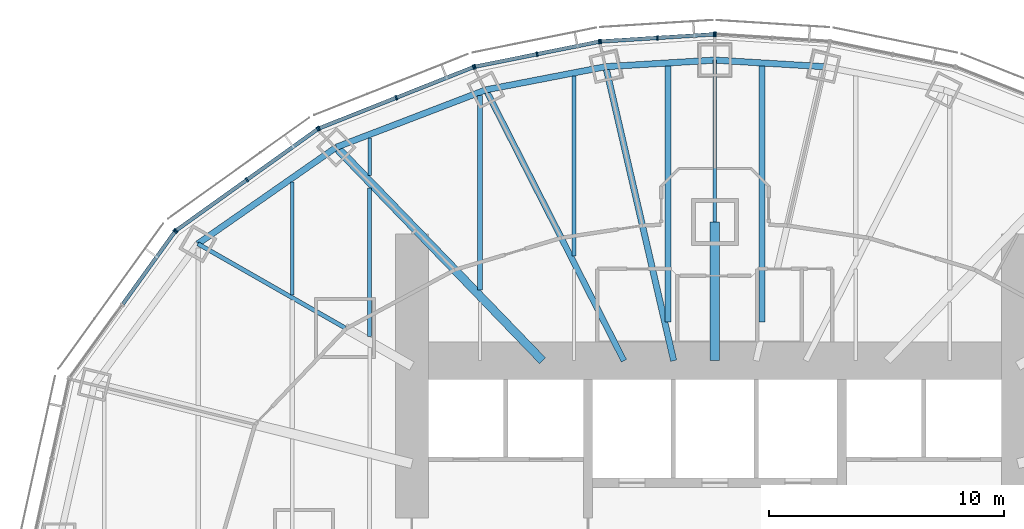
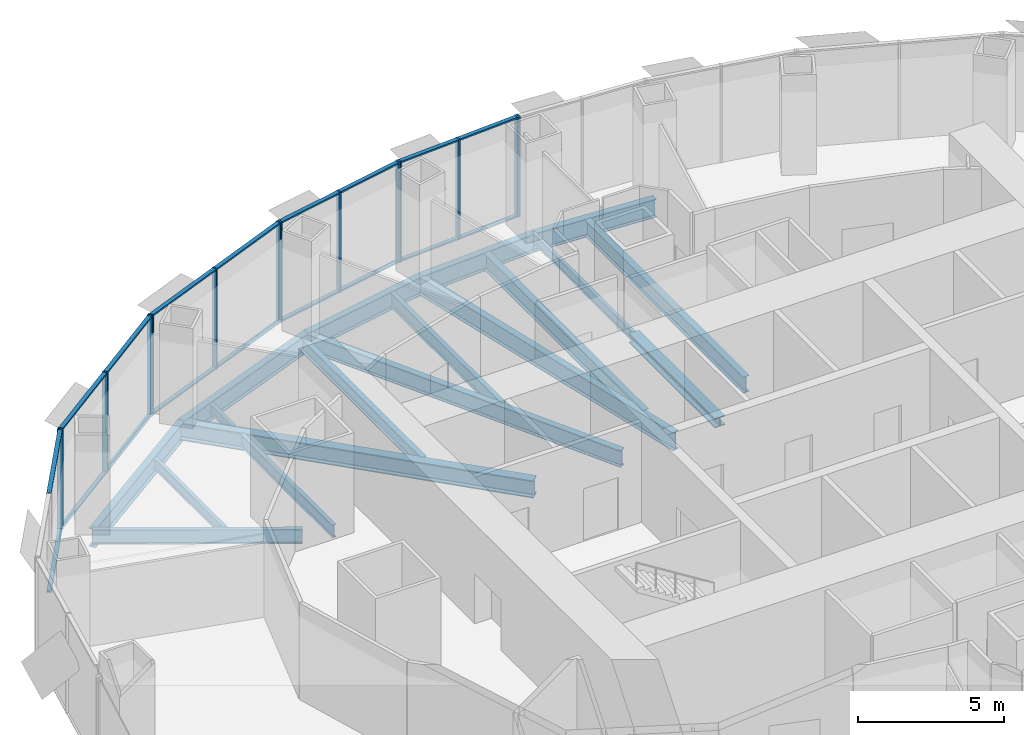
# One storey, part 7 of 18: 32 members, 18 beams, 6 elements without a shape of their own.
"""IFC4 building model written with IfcOpenShell, lengths in metres."""

from ifc_helpers import new_model, si_unit, direction, frame, origin, origin_2d, place, context, subcontext, project, spatial, rectangle, i_section, extrude, material, material_profile, profile_set, type_object, element, aggregate, save


model = new_model("IFC4")

# Units and contexts
model_context = context("Model", 3, precision=1e-05, world=origin(), true_north=direction((0.0, 1.0)))
body_context = subcontext(model_context, "Body", "Model", "MODEL_VIEW")
ifc_project = project(units=[si_unit("LENGTHUNIT", "METRE"), si_unit("AREAUNIT", "SQUARE_METRE"), si_unit("VOLUMEUNIT", "CUBIC_METRE"), si_unit("PLANEANGLEUNIT", "RADIAN"), si_unit("MASSUNIT", "GRAM", prefix="KILO")], contexts=[model_context])

# Site, building, storey
site_placement = place(None, origin())
site = spatial("IfcSite", under=ifc_project, at=site_placement, CompositionType="ELEMENT")
building_placement = place(site_placement, origin())
building = spatial("IfcBuilding", under=site, at=building_placement, Name="Lantaw Convention Tower", CompositionType="ELEMENT")
storey_placement = place(building_placement, frame((0.0, 0.0, 142.60009765625)))
storey = spatial("IfcBuildingStorey", under=building, at=storey_placement, Name="L33", CompositionType="ELEMENT", Elevation=142.60009765625)

# Beams
ifc_material_1 = material(Name="Steel ASTM A992", Category="steel")
ifc_material_profile_1 = material_profile(ifc_material_1, i_section(OverallWidth=0.2666015625, OverallDepth=0.76953125, WebThickness=0.015625, FlangeThickness=0.025390625, FilletRadius=0.0126953125, at=origin_2d()), Name="W30X132")
ifc_profile_set_1 = profile_set([ifc_material_profile_1], Name="Steel ASTM A992")
beam_type_1 = type_object("IfcBeamType", Name="Beam E W30X132", PredefinedType="SPANDREL", material=ifc_profile_set_1)
for number, where, z_axis, x_axis, name in (
    (1, (4.64501953125, 20.1201171875, -0.534912109375), (-0.998190892054, 0.06012439621, 0.0), (-0.06012439621, -0.998190892054, 0.0), "Edge beam 6"),
    (2, (0.0, 20.39990234375, -0.534912109375), (-0.998190892054, -0.06012439621, 0.0), (0.06012439621, -0.998190892054, 0.0), "Edge beam 7"),
):
    element("IfcBeam", number, at=place(storey_placement, frame(where, z_axis=z_axis, x_axis=x_axis)), inside=storey, type_object=beam_type_1, Name=name, PredefinedType="SPANDREL", context=body_context, shape_type="SweptSolid", body=[
        extrude(i_section(OverallWidth=0.2666015625, OverallDepth=0.76953125, WebThickness=0.015625, FlangeThickness=0.025390625, FilletRadius=0.0126953125, at=origin_2d()), origin(), (0.0, 0.0, 1.0), 4.6533203125),
    ])
beam_1_placement = place(storey_placement, frame((-4.64501953125, 20.1201171875, -0.534912109375), z_axis=(-0.981796805654, -0.189934284446, 0.0), x_axis=(0.189934284446, -0.981796805654, 0.0)))
element("IfcBeam", 3, at=beam_1_placement, inside=storey, type_object=beam_type_1, Name="Edge beam 8", PredefinedType="SPANDREL", context=body_context, shape_type="SweptSolid", body=[
    extrude(i_section(OverallWidth=0.2666015625, OverallDepth=0.76953125, WebThickness=0.015625, FlangeThickness=0.025390625, FilletRadius=0.0126953125, at=origin_2d()), origin(), (0.0, 0.0, 1.0), 5.1982421875),
])
beam_2_placement = place(storey_placement, frame((-9.74853515625, 19.1328125, -0.534912109375), z_axis=(-0.933691081977, -0.358079549033, 0.0), x_axis=(0.358079549033, -0.933691081977, 0.0)))
element("IfcBeam", 4, at=beam_2_placement, inside=storey, type_object=beam_type_1, Name="Edge beam 9", PredefinedType="SPANDREL", context=body_context, shape_type="SweptSolid", body=[
    extrude(i_section(OverallWidth=0.2666015625, OverallDepth=0.76953125, WebThickness=0.015625, FlangeThickness=0.025390625, FilletRadius=0.0126953125, at=origin_2d()), origin(), (0.0, 0.0, 1.0), 6.821533203125),
])
beam_3_placement = place(storey_placement, frame((-16.11767578125, 16.690185546875, -0.534912109375), z_axis=(-0.820310765287, -0.57191804339, 0.0), x_axis=(0.57191804339, -0.820310765287, 0.0)))
element("IfcBeam", 5, at=beam_3_placement, inside=storey, type_object=beam_type_1, Name="Edge beam 10", PredefinedType="SPANDREL", context=body_context, shape_type="SweptSolid", body=[
    extrude(i_section(OverallWidth=0.2666015625, OverallDepth=0.76953125, WebThickness=0.015625, FlangeThickness=0.025390625, FilletRadius=0.0126953125, at=origin_2d()), origin(), (0.0, 0.0, 1.0), 7.187744140625),
])
ifc_material_profile_2 = material_profile(ifc_material_1, i_section(OverallWidth=0.140380859375, OverallDepth=0.40380859375, WebThickness=0.007080078125, FlangeThickness=0.01123046875, FilletRadius=0.01025390625, at=origin_2d()), Name="W16X31")
ifc_profile_set_2 = profile_set([ifc_material_profile_2], Name="Steel ASTM A992")
beam_type_2 = type_object("IfcBeamType", Name="Beam G W16X31", PredefinedType="BEAM", material=ifc_profile_set_2)
beam_4_placement = place(storey_placement, frame((0.0, 13.5, -0.35205078125), z_axis=(0.0, 1.0, 0.0), x_axis=(-1.0, 0.0, 0.0)))
element("IfcBeam", 6, at=beam_4_placement, inside=storey, type_object=beam_type_2, Name="Floor girder on ray 7", PredefinedType="BEAM", context=body_context, shape_type="SweptSolid", body=[
    extrude(i_section(OverallWidth=0.140380859375, OverallDepth=0.40380859375, WebThickness=0.007080078125, FlangeThickness=0.01123046875, FilletRadius=0.01025390625, at=origin_2d()), origin(), (0.0, 0.0, 1.0), 6.89990234375),
])
ifc_material_profile_3 = material_profile(ifc_material_1, i_section(OverallWidth=0.177978515625, OverallDepth=0.599365234375, WebThickness=0.010009765625, FlangeThickness=0.012939453125, FilletRadius=0.012939453125, at=origin_2d()), Name="W24X55")
ifc_profile_set_3 = profile_set([ifc_material_profile_3], Name="Steel ASTM A992")
beam_type_3 = type_object("IfcBeamType", Name="Beam G W24X55", PredefinedType="BEAM", material=ifc_profile_set_3)
beam_5_placement = place(storey_placement, frame((-15.75, 9.0, -0.44970703125), z_axis=(-0.868245224608, 0.496135293993, 0.0), x_axis=(-0.496135293993, -0.868245224608, 0.0)))
element("IfcBeam", 7, at=beam_5_placement, inside=storey, type_object=beam_type_3, Name="Floor girder on ray 11", PredefinedType="BEAM", context=body_context, shape_type="SweptSolid", body=[
    extrude(i_section(OverallWidth=0.177978515625, OverallDepth=0.599365234375, WebThickness=0.010009765625, FlangeThickness=0.012939453125, FilletRadius=0.012939453125, at=origin_2d()), origin(), (0.0, 0.0, 1.0), 7.21435546875),
])
ifc_material_profile_4 = material_profile(ifc_material_1, i_section(OverallWidth=0.25390625, OverallDepth=0.700927734375, WebThickness=0.015380859375, FlangeThickness=0.02783203125, FilletRadius=0.01513671875, at=origin_2d()), Name="W27X129")
ifc_profile_set_4 = profile_set([ifc_material_profile_4], Name="Steel ASTM A992")
beam_type_4 = type_object("IfcBeamType", Name="Beam G W27X129", PredefinedType="BEAM", material=ifc_profile_set_4)
beam_6_placement = place(storey_placement, frame((-3.872314453125, 7.60009765625, -0.500732421875), z_axis=(-0.453991051051, 0.891006243281, 0.0), x_axis=(-0.891006243281, -0.453991051051, 0.0)))
element("IfcBeam", 8, at=beam_6_placement, inside=storey, type_object=beam_type_4, Name="Floor girder on ray 9", PredefinedType="BEAM", context=body_context, shape_type="SweptSolid", body=[
    extrude(i_section(OverallWidth=0.25390625, OverallDepth=0.700927734375, WebThickness=0.015380859375, FlangeThickness=0.02783203125, FilletRadius=0.01513671875, at=origin_2d()), origin(), (0.0, 0.0, 1.0), 12.943359375),
])
ifc_material_profile_5 = material_profile(ifc_material_1, i_section(OverallWidth=0.360595703125, OverallDepth=0.72900390625, WebThickness=0.023193359375, FlangeThickness=0.041015625, FilletRadius=0.0126953125, at=origin_2d()), Name="W27X235")
ifc_profile_set_5 = profile_set([ifc_material_profile_5], Name="Steel ASTM A992")
beam_type_5 = type_object("IfcBeamType", Name="Beam G W27X235", PredefinedType="BEAM", material=ifc_profile_set_5)
beam_7_placement = place(storey_placement, frame((-7.33935546875, 7.60009765625, -0.5146484375), z_axis=(-0.694663467407, 0.719334878239, 0.0), x_axis=(-0.719334878239, -0.694663467407, 0.0)))
element("IfcBeam", 9, at=beam_7_placement, inside=storey, type_object=beam_type_5, Name="Floor girder on ray 10", PredefinedType="BEAM", context=body_context, shape_type="SweptSolid", body=[
    extrude(i_section(OverallWidth=0.360595703125, OverallDepth=0.72900390625, WebThickness=0.023193359375, FlangeThickness=0.041015625, FilletRadius=0.0126953125, at=origin_2d()), origin(), (0.0, 0.0, 1.0), 12.63671875),
])
ifc_material_profile_6 = material_profile(ifc_material_1, i_section(OverallWidth=0.2666015625, OverallDepth=0.7568359375, WebThickness=0.013916015625, FlangeThickness=0.019287109375, FilletRadius=0.0126953125, at=origin_2d()), Name="W30X108")
ifc_profile_set_6 = profile_set([ifc_material_profile_6], Name="Steel ASTM A992")
beam_type_6 = type_object("IfcBeamType", Name="Beam G W30X108", PredefinedType="BEAM", material=ifc_profile_set_6)
beam_8_placement = place(storey_placement, frame((-1.754638671875, 7.60009765625, -0.528564453125), z_axis=(-0.224944153104, 0.974371658036, 0.0), x_axis=(-0.974371658036, -0.224944153104, 0.0)))
element("IfcBeam", 10, at=beam_8_placement, inside=storey, type_object=beam_type_6, Name="Floor girder on ray 8", PredefinedType="BEAM", context=body_context, shape_type="SweptSolid", body=[
    extrude(i_section(OverallWidth=0.2666015625, OverallDepth=0.7568359375, WebThickness=0.013916015625, FlangeThickness=0.019287109375, FilletRadius=0.0126953125, at=origin_2d()), origin(), (0.0, 0.0, 1.0), 12.849365234375),
])
ifc_material_profile_7 = material_profile(ifc_material_1, i_section(OverallWidth=0.40380859375, OverallDepth=0.406494140625, WebThickness=0.027099609375, FlangeThickness=0.043701171875, FilletRadius=0.01513671875, at=origin_2d()), Name="W14X233")
ifc_profile_set_7 = profile_set([ifc_material_profile_7], Name="Steel ASTM A992")
beam_type_7 = type_object("IfcBeamType", Name="Beam GM W14X233", PredefinedType="BEAM", material=ifc_profile_set_7)
beam_9_placement = place(storey_placement, frame((0.0, 7.60009765625, -0.353271484375), z_axis=(0.0, 1.0, 0.0), x_axis=(-1.0, 0.0, 0.0)))
element("IfcBeam", 11, at=beam_9_placement, inside=storey, type_object=beam_type_7, Name="Core link beam on ray 7", PredefinedType="BEAM", context=body_context, shape_type="SweptSolid", body=[
    extrude(i_section(OverallWidth=0.40380859375, OverallDepth=0.406494140625, WebThickness=0.027099609375, FlangeThickness=0.043701171875, FilletRadius=0.01513671875, at=origin_2d()), origin(), (0.0, 0.0, 1.0), 5.89990234375),
])
ifc_material_profile_8 = material_profile(ifc_material_1, i_section(OverallWidth=0.140380859375, OverallDepth=0.40380859375, WebThickness=0.007080078125, FlangeThickness=0.01123046875, FilletRadius=0.01025390625, at=origin_2d()), Name="W16X31")
ifc_profile_set_8 = profile_set([ifc_material_profile_8], Name="Steel ASTM A992")
beam_type_8 = type_object("IfcBeamType", Name="Beam J W16X31", PredefinedType="JOIST", material=ifc_profile_set_8)
beam_10_placement = place(storey_placement, frame((-14.699951171875, 15.48193359375, -0.35205078125), z_axis=(0.0, 1.0, 0.0), x_axis=(-1.0, 0.0, 0.0)))
element("IfcBeam", 12, at=beam_10_placement, inside=storey, type_object=beam_type_8, Name="Floor joist", PredefinedType="JOIST", context=body_context, shape_type="SweptSolid", body=[
    extrude(i_section(OverallWidth=0.140380859375, OverallDepth=0.40380859375, WebThickness=0.007080078125, FlangeThickness=0.01123046875, FilletRadius=0.01025390625, at=origin_2d()), origin(), (0.0, 0.0, 1.0), 1.609130859375),
])
ifc_material_profile_9 = material_profile(ifc_material_1, i_section(OverallWidth=0.15234375, OverallDepth=0.449462890625, WebThickness=0.007568359375, FlangeThickness=0.0107421875, FilletRadius=0.01025390625, at=origin_2d()), Name="W18X35")
ifc_profile_set_9 = profile_set([ifc_material_profile_9], Name="Steel ASTM A992")
beam_type_9 = type_object("IfcBeamType", Name="Beam J W18X35", PredefinedType="JOIST", material=ifc_profile_set_9)
beam_11_placement = place(storey_placement, frame((-18.0, 10.38818359375, -0.375), z_axis=(0.0, 1.0, 0.0), x_axis=(-1.0, 0.0, 0.0)))
element("IfcBeam", 13, at=beam_11_placement, inside=storey, type_object=beam_type_9, Name="Floor joist", PredefinedType="JOIST", context=body_context, shape_type="SweptSolid", body=[
    extrude(i_section(OverallWidth=0.15234375, OverallDepth=0.449462890625, WebThickness=0.007568359375, FlangeThickness=0.0107421875, FilletRadius=0.01025390625, at=origin_2d()), origin(), (0.0, 0.0, 1.0), 4.8271484375),
])
ifc_material_profile_10 = material_profile(ifc_material_1, i_section(OverallWidth=0.1650390625, OverallDepth=0.52587890625, WebThickness=0.0087890625, FlangeThickness=0.011474609375, FilletRadius=0.0126953125, at=origin_2d()), Name="W21X44")
ifc_profile_set_10 = profile_set([ifc_material_profile_10], Name="Steel ASTM A992")
beam_type_10 = type_object("IfcBeamType", Name="Beam J W21X44", PredefinedType="JOIST", material=ifc_profile_set_10)
beam_12_placement = place(storey_placement, frame((-14.699951171875, 8.632568359375, -0.4130859375), z_axis=(0.0, 1.0, 0.0), x_axis=(-1.0, 0.0, 0.0)))
element("IfcBeam", 14, at=beam_12_placement, inside=storey, type_object=beam_type_10, Name="Floor joist", PredefinedType="JOIST", context=body_context, shape_type="SweptSolid", body=[
    extrude(i_section(OverallWidth=0.1650390625, OverallDepth=0.52587890625, WebThickness=0.0087890625, FlangeThickness=0.011474609375, FilletRadius=0.0126953125, at=origin_2d()), origin(), (0.0, 0.0, 1.0), 6.330078125),
])
ifc_material_profile_11 = material_profile(ifc_material_1, i_section(OverallWidth=0.2099609375, OverallDepth=0.535888671875, WebThickness=0.010986328125, FlangeThickness=0.017333984375, FilletRadius=0.012939453125, at=origin_2d()), Name="W21X68")
ifc_profile_set_11 = profile_set([ifc_material_profile_11], Name="Steel ASTM A992")
beam_type_11 = type_object("IfcBeamType", Name="Beam J W21X68", PredefinedType="JOIST", material=ifc_profile_set_11)
beam_13_placement = place(storey_placement, frame((-10.0, 10.614990234375, -0.41796875), z_axis=(0.0, 1.0, 0.0), x_axis=(-1.0, 0.0, 0.0)))
element("IfcBeam", 15, at=beam_13_placement, inside=storey, type_object=beam_type_11, Name="Floor joist", PredefinedType="JOIST", context=body_context, shape_type="SweptSolid", body=[
    extrude(i_section(OverallWidth=0.2099609375, OverallDepth=0.535888671875, WebThickness=0.010986328125, FlangeThickness=0.017333984375, FilletRadius=0.012939453125, at=origin_2d()), origin(), (0.0, 0.0, 1.0), 8.278564453125),
])
ifc_material_profile_12 = material_profile(ifc_material_1, i_section(OverallWidth=0.177978515625, OverallDepth=0.599365234375, WebThickness=0.010009765625, FlangeThickness=0.012939453125, FilletRadius=0.012939453125, at=origin_2d()), Name="W24X55")
ifc_profile_set_12 = profile_set([ifc_material_profile_12], Name="Steel ASTM A992")
beam_type_12 = type_object("IfcBeamType", Name="Beam J W24X55", PredefinedType="JOIST", material=ifc_profile_set_12)
beam_14_placement = place(storey_placement, frame((-6.0, 12.055419921875, -0.44970703125), z_axis=(0.0, 1.0, 0.0), x_axis=(-1.0, 0.0, 0.0)))
element("IfcBeam", 16, at=beam_14_placement, inside=storey, type_object=beam_type_12, Name="Floor joist", PredefinedType="JOIST", context=body_context, shape_type="SweptSolid", body=[
    extrude(i_section(OverallWidth=0.177978515625, OverallDepth=0.599365234375, WebThickness=0.010009765625, FlangeThickness=0.012939453125, FilletRadius=0.012939453125, at=origin_2d()), origin(), (0.0, 0.0, 1.0), 7.666748046875),
])
ifc_material_profile_13 = material_profile(ifc_material_1, i_section(OverallWidth=0.25390625, OverallDepth=0.683349609375, WebThickness=0.012451171875, FlangeThickness=0.01904296875, FilletRadius=0.01513671875, at=origin_2d()), Name="W27X94")
ifc_profile_set_13 = profile_set([ifc_material_profile_13], Name="Steel ASTM A992")
beam_type_13 = type_object("IfcBeamType", Name="Beam J W27X94", PredefinedType="JOIST", material=ifc_profile_set_13)
for number, where, z_axis, x_axis, name in (
    (17, (-2.0, 9.255859375, -0.49169921875), (0.0, 1.0, 0.0), (-1.0, 0.0, 0.0), "Floor joist"),
    (18, (2.0, 9.255859375, -0.49169921875), (0.0, 1.0, 0.0), (-1.0, 0.0, 0.0), "Floor joist"),
):
    element("IfcBeam", number, at=place(storey_placement, frame(where, z_axis=z_axis, x_axis=x_axis)), inside=storey, type_object=beam_type_13, Name=name, PredefinedType="JOIST", context=body_context, shape_type="SweptSolid", body=[
        extrude(i_section(OverallWidth=0.25390625, OverallDepth=0.683349609375, WebThickness=0.012451171875, FlangeThickness=0.01904296875, FilletRadius=0.01513671875, at=origin_2d()), origin(), (0.0, 0.0, 1.0), 10.889892578125),
    ])

# Curtain wall, member
ifc_material_2 = material(Name="Aluminium framed curtain wall", Category="aluminium")
curtain_wall_type = type_object("IfcCurtainWallType", Name="Office curtain wall low rise, pale aluminium", PredefinedType="USERDEFINED", material=ifc_material_2)
curtain_wall_1_placement = place(storey_placement, origin())
curtain_wall_1 = element("IfcCurtainWall", 19, at=curtain_wall_1_placement, inside=storey, type_object=curtain_wall_type, Name="Office curtain wall low rise, pale aluminium L33", ObjectType="UNITISED CURTAIN WALL", PredefinedType="USERDEFINED")
ifc_material_3 = material(Name="Aluminium 6063-T6", Category="aluminium")
ifc_material_profile_14 = material_profile(ifc_material_3, rectangle(XDim=0.199951171875, YDim=0.06494140625, at=origin_2d()), Name="CW-O1 mullion 65x200")
ifc_profile_set_14 = profile_set([ifc_material_profile_14], Name="Aluminium 6063-T6")
member_type_1 = type_object("IfcMemberType", Name="CW-O1 mullion 65x200", PredefinedType="MULLION", material=ifc_profile_set_14)
member_1_placement = place(storey_placement, frame((0.032470703125, 21.498046875, -0.150146484375), z_axis=(0.0, 0.0, 1.0), x_axis=(-0.062865059466, -0.998022035978, 0.0)))
member_1 = element("IfcMember", 20, at=member_1_placement, type_object=member_type_1, Name="CW-O1 mullion 3", PredefinedType="MULLION", context=body_context, shape_type="SweptSolid", body=[
    extrude(rectangle(XDim=0.199951171875, YDim=0.06494140625, at=origin_2d()), origin(), (0.0, 0.0, 1.0), 4.199951171875),
])
aggregate(curtain_wall_1, [member_1])

# Curtain wall, members
curtain_wall_2_placement = place(storey_placement, origin())
curtain_wall_2 = element("IfcCurtainWall", 21, at=curtain_wall_2_placement, inside=storey, type_object=curtain_wall_type, Name="Office curtain wall low rise, pale aluminium L33", ObjectType="UNITISED CURTAIN WALL", PredefinedType="USERDEFINED")
member_2_placement = place(storey_placement, frame((-0.032470703125, 21.498046875, -0.150146484375), z_axis=(0.0, 0.0, 1.0), x_axis=(0.062865059466, -0.998022035978, 0.0)))
member_2 = element("IfcMember", 22, at=member_2_placement, type_object=member_type_1, Name="CW-O1 mullion 1", PredefinedType="MULLION", context=body_context, shape_type="SweptSolid", body=[
    extrude(rectangle(XDim=0.199951171875, YDim=0.06494140625, at=origin_2d()), origin(), (0.0, 0.0, 1.0), 4.199951171875),
])
member_3_placement = place(storey_placement, frame((-2.4462890625, 21.345947265625, -0.150146484375), z_axis=(0.0, 0.0, 1.0), x_axis=(0.062865059466, -0.998022035978, 0.0)))
member_3 = element("IfcMember", 23, at=member_3_placement, type_object=member_type_1, Name="CW-O1 mullion 2", PredefinedType="MULLION", context=body_context, shape_type="SweptSolid", body=[
    extrude(rectangle(XDim=0.199951171875, YDim=0.06494140625, at=origin_2d()), origin(), (0.0, 0.0, 1.0), 4.199951171875),
])
member_4_placement = place(storey_placement, frame((-4.860107421875, 21.19384765625, -0.150146484375), z_axis=(0.0, 0.0, 1.0), x_axis=(0.062865059466, -0.998022035978, 0.0)))
member_4 = element("IfcMember", 24, at=member_4_placement, type_object=member_type_1, Name="CW-O1 mullion 3", PredefinedType="MULLION", context=body_context, shape_type="SweptSolid", body=[
    extrude(rectangle(XDim=0.199951171875, YDim=0.06494140625, at=origin_2d()), origin(), (0.0, 0.0, 1.0), 4.199951171875),
])

curtain_wall_3_placement = place(storey_placement, origin())
curtain_wall_3 = element("IfcCurtainWall", 25, at=curtain_wall_3_placement, inside=storey, type_object=curtain_wall_type, Name="Office curtain wall low rise, pale aluminium L33", ObjectType="UNITISED CURTAIN WALL", PredefinedType="USERDEFINED")
member_5_placement = place(storey_placement, frame((-4.92431640625, 21.185302734375, -0.150146484375), z_axis=(0.0, 0.0, 1.0), x_axis=(0.197506809659, -0.980301514912, 0.0)))
member_5 = element("IfcMember", 26, at=member_5_placement, type_object=member_type_1, Name="CW-O1 mullion 1", PredefinedType="MULLION", context=body_context, shape_type="SweptSolid", body=[
    extrude(rectangle(XDim=0.199951171875, YDim=0.06494140625, at=origin_2d()), origin(), (0.0, 0.0, 1.0), 4.199951171875),
])
member_6_placement = place(storey_placement, frame((-7.5703125, 20.65234375, -0.150146484375), z_axis=(0.0, 0.0, 1.0), x_axis=(0.197506809659, -0.980301514912, 0.0)))
member_6 = element("IfcMember", 27, at=member_6_placement, type_object=member_type_1, Name="CW-O1 mullion 2", PredefinedType="MULLION", context=body_context, shape_type="SweptSolid", body=[
    extrude(rectangle(XDim=0.199951171875, YDim=0.06494140625, at=origin_2d()), origin(), (0.0, 0.0, 1.0), 4.199951171875),
])
member_7_placement = place(storey_placement, frame((-10.216064453125, 20.119140625, -0.150146484375), z_axis=(0.0, 0.0, 1.0), x_axis=(0.197506809659, -0.980301514912, 0.0)))
member_7 = element("IfcMember", 28, at=member_7_placement, type_object=member_type_1, Name="CW-O1 mullion 3", PredefinedType="MULLION", context=body_context, shape_type="SweptSolid", body=[
    extrude(rectangle(XDim=0.199951171875, YDim=0.06494140625, at=origin_2d()), origin(), (0.0, 0.0, 1.0), 4.199951171875),
])

curtain_wall_4_placement = place(storey_placement, origin())
curtain_wall_4 = element("IfcCurtainWall", 29, at=curtain_wall_4_placement, inside=storey, type_object=curtain_wall_type, Name="Office curtain wall low rise, pale aluminium L33", ObjectType="UNITISED CURTAIN WALL", PredefinedType="USERDEFINED")
member_8_placement = place(storey_placement, frame((-10.2783203125, 20.100830078125, -0.150146484375), z_axis=(0.0, 0.0, 1.0), x_axis=(0.368701907483, -0.929547687544, 0.0)))
member_8 = element("IfcMember", 30, at=member_8_placement, type_object=member_type_1, Name="CW-O1 mullion 1", PredefinedType="MULLION", context=body_context, shape_type="SweptSolid", body=[
    extrude(rectangle(XDim=0.199951171875, YDim=0.06494140625, at=origin_2d()), origin(), (0.0, 0.0, 1.0), 4.199951171875),
])
member_9_placement = place(storey_placement, frame((-13.56494140625, 18.797119140625, -0.150146484375), z_axis=(0.0, 0.0, 1.0), x_axis=(0.368701907483, -0.929547687544, 0.0)))
member_9 = element("IfcMember", 31, at=member_9_placement, type_object=member_type_1, Name="CW-O1 mullion 2", PredefinedType="MULLION", context=body_context, shape_type="SweptSolid", body=[
    extrude(rectangle(XDim=0.199951171875, YDim=0.06494140625, at=origin_2d()), origin(), (0.0, 0.0, 1.0), 4.199951171875),
])
member_10_placement = place(storey_placement, frame((-16.8515625, 17.49365234375, -0.150146484375), z_axis=(0.0, 0.0, 1.0), x_axis=(0.368701907483, -0.929547687544, 0.0)))
member_10 = element("IfcMember", 32, at=member_10_placement, type_object=member_type_1, Name="CW-O1 mullion 3", PredefinedType="MULLION", context=body_context, shape_type="SweptSolid", body=[
    extrude(rectangle(XDim=0.199951171875, YDim=0.06494140625, at=origin_2d()), origin(), (0.0, 0.0, 1.0), 4.199951171875),
])

curtain_wall_5_placement = place(storey_placement, origin())
curtain_wall_5 = element("IfcCurtainWall", 33, at=curtain_wall_5_placement, inside=storey, type_object=curtain_wall_type, Name="Office curtain wall low rise, pale aluminium L33", ObjectType="UNITISED CURTAIN WALL", PredefinedType="USERDEFINED")
member_11_placement = place(storey_placement, frame((-16.908203125, 17.462646484375, -0.150146484375), z_axis=(0.0, 0.0, 1.0), x_axis=(0.581972695693, -0.813208325995, 0.0)))
member_11 = element("IfcMember", 34, at=member_11_placement, type_object=member_type_1, Name="CW-O1 mullion 1", PredefinedType="MULLION", context=body_context, shape_type="SweptSolid", body=[
    extrude(rectangle(XDim=0.199951171875, YDim=0.06494140625, at=origin_2d()), origin(), (0.0, 0.0, 1.0), 4.199951171875),
])
member_12_placement = place(storey_placement, frame((-19.92529296875, 15.303466796875, -0.150146484375), z_axis=(0.0, 0.0, 1.0), x_axis=(0.581972695693, -0.813208325995, 0.0)))
member_12 = element("IfcMember", 35, at=member_12_placement, type_object=member_type_1, Name="CW-O1 mullion 2", PredefinedType="MULLION", context=body_context, shape_type="SweptSolid", body=[
    extrude(rectangle(XDim=0.199951171875, YDim=0.06494140625, at=origin_2d()), origin(), (0.0, 0.0, 1.0), 4.199951171875),
])
member_13_placement = place(storey_placement, frame((-22.942626953125, 13.14404296875, -0.150146484375), z_axis=(0.0, 0.0, 1.0), x_axis=(0.581972695693, -0.813208325995, 0.0)))
member_13 = element("IfcMember", 36, at=member_13_placement, type_object=member_type_1, Name="CW-O1 mullion 3", PredefinedType="MULLION", context=body_context, shape_type="SweptSolid", body=[
    extrude(rectangle(XDim=0.199951171875, YDim=0.06494140625, at=origin_2d()), origin(), (0.0, 0.0, 1.0), 4.199951171875),
])

# Curtain wall, member
curtain_wall_6_placement = place(storey_placement, origin())
curtain_wall_6 = element("IfcCurtainWall", 37, at=curtain_wall_6_placement, inside=storey, type_object=curtain_wall_type, Name="Office curtain wall low rise, pale aluminium L33", ObjectType="UNITISED CURTAIN WALL", PredefinedType="USERDEFINED")
member_14_placement = place(storey_placement, frame((-22.988037109375, 13.098876953125, -0.150146484375), z_axis=(0.0, 0.0, 1.0), x_axis=(0.811384633629, -0.584512597221, 0.0)))
member_14 = element("IfcMember", 38, at=member_14_placement, type_object=member_type_1, Name="CW-O1 mullion 1", PredefinedType="MULLION", context=body_context, shape_type="SweptSolid", body=[
    extrude(rectangle(XDim=0.199951171875, YDim=0.06494140625, at=origin_2d()), origin(), (0.0, 0.0, 1.0), 4.199951171875),
])

# Member
ifc_material_profile_15 = material_profile(ifc_material_3, rectangle(XDim=0.159912109375, YDim=0.06494140625, at=origin_2d()), Name="CW-O1 transom 65x160")
ifc_profile_set_15 = profile_set([ifc_material_profile_15], Name="Aluminium 6063-T6")
member_type_2 = type_object("IfcMemberType", Name="CW-O1 transom 65x160", PredefinedType="USERDEFINED", material=ifc_profile_set_15)
member_15_placement = place(storey_placement, frame((-0.06494140625, 21.495849609375, -0.11767578125), z_axis=(-0.998022188463, -0.062862638625, 0.0), x_axis=(0.062862638625, -0.998022188463, 0.0)))
member_15 = element("IfcMember", 39, at=member_15_placement, type_object=member_type_2, Name="CW-O1 transom 1.1", ObjectType="TRANSOM", PredefinedType="USERDEFINED", context=body_context, shape_type="SweptSolid", body=[
    extrude(rectangle(XDim=0.159912109375, YDim=0.06494140625, at=origin_2d()), origin(), (0.0, 0.0, 1.0), 2.353515625),
])

member_16_placement = place(storey_placement, frame((-0.06494140625, 21.495849609375, 4.017333984375), z_axis=(-0.998022188463, -0.062862638625, 0.0), x_axis=(0.062862638625, -0.998022188463, 0.0)))
member_16 = element("IfcMember", 40, at=member_16_placement, type_object=member_type_2, Name="CW-O1 transom 1.2", ObjectType="TRANSOM", PredefinedType="USERDEFINED", context=body_context, shape_type="SweptSolid", body=[
    extrude(rectangle(XDim=0.159912109375, YDim=0.06494140625, at=origin_2d()), origin(), (0.0, 0.0, 1.0), 2.353515625),
])

member_17_placement = place(storey_placement, frame((-2.478759765625, 21.34375, -0.11767578125), z_axis=(-0.998022188463, -0.062862638625, 0.0), x_axis=(0.062862638625, -0.998022188463, 0.0)))
member_17 = element("IfcMember", 41, at=member_17_placement, type_object=member_type_2, Name="CW-O1 transom 2.1", ObjectType="TRANSOM", PredefinedType="USERDEFINED", context=body_context, shape_type="SweptSolid", body=[
    extrude(rectangle(XDim=0.159912109375, YDim=0.06494140625, at=origin_2d()), origin(), (0.0, 0.0, 1.0), 2.353515625),
])

member_18_placement = place(storey_placement, frame((-2.478759765625, 21.34375, 4.017333984375), z_axis=(-0.998022188463, -0.062862638625, 0.0), x_axis=(0.062862638625, -0.998022188463, 0.0)))
member_18 = element("IfcMember", 42, at=member_18_placement, type_object=member_type_2, Name="CW-O1 transom 2.2", ObjectType="TRANSOM", PredefinedType="USERDEFINED", context=body_context, shape_type="SweptSolid", body=[
    extrude(rectangle(XDim=0.159912109375, YDim=0.06494140625, at=origin_2d()), origin(), (0.0, 0.0, 1.0), 2.353515625),
])

aggregate(curtain_wall_2, [member_2, member_3, member_4, member_15, member_16, member_17, member_18])

member_19_placement = place(storey_placement, frame((-4.956298828125, 21.178955078125, -0.11767578125), z_axis=(-0.980298027092, -0.197524120247, 0.0), x_axis=(0.197524120247, -0.980298027092, 0.0)))
member_19 = element("IfcMember", 43, at=member_19_placement, type_object=member_type_2, Name="CW-O1 transom 1.1", ObjectType="TRANSOM", PredefinedType="USERDEFINED", context=body_context, shape_type="SweptSolid", body=[
    extrude(rectangle(XDim=0.159912109375, YDim=0.06494140625, at=origin_2d()), origin(), (0.0, 0.0, 1.0), 2.634033203125),
])

member_20_placement = place(storey_placement, frame((-4.956298828125, 21.178955078125, 4.017333984375), z_axis=(-0.980298027092, -0.197524120247, 0.0), x_axis=(0.197524120247, -0.980298027092, 0.0)))
member_20 = element("IfcMember", 44, at=member_20_placement, type_object=member_type_2, Name="CW-O1 transom 1.2", ObjectType="TRANSOM", PredefinedType="USERDEFINED", context=body_context, shape_type="SweptSolid", body=[
    extrude(rectangle(XDim=0.159912109375, YDim=0.06494140625, at=origin_2d()), origin(), (0.0, 0.0, 1.0), 2.634033203125),
])

member_21_placement = place(storey_placement, frame((-7.60205078125, 20.64599609375, -0.11767578125), z_axis=(-0.980301643003, -0.197506173891, 0.0), x_axis=(0.197506173891, -0.980301643003, 0.0)))
member_21 = element("IfcMember", 45, at=member_21_placement, type_object=member_type_2, Name="CW-O1 transom 2.1", ObjectType="TRANSOM", PredefinedType="USERDEFINED", context=body_context, shape_type="SweptSolid", body=[
    extrude(rectangle(XDim=0.159912109375, YDim=0.06494140625, at=origin_2d()), origin(), (0.0, 0.0, 1.0), 2.63427734375),
])

member_22_placement = place(storey_placement, frame((-7.60205078125, 20.64599609375, 4.017333984375), z_axis=(-0.980301643003, -0.197506173891, 0.0), x_axis=(0.197506173891, -0.980301643003, 0.0)))
member_22 = element("IfcMember", 46, at=member_22_placement, type_object=member_type_2, Name="CW-O1 transom 2.2", ObjectType="TRANSOM", PredefinedType="USERDEFINED", context=body_context, shape_type="SweptSolid", body=[
    extrude(rectangle(XDim=0.159912109375, YDim=0.06494140625, at=origin_2d()), origin(), (0.0, 0.0, 1.0), 2.63427734375),
])

aggregate(curtain_wall_3, [member_5, member_6, member_7, member_19, member_20, member_21, member_22])

member_23_placement = place(storey_placement, frame((-10.308349609375, 20.0888671875, -0.11767578125), z_axis=(-0.929540081544, -0.368721082668, 0.0), x_axis=(0.368721082668, -0.929540081544, 0.0)))
member_23 = element("IfcMember", 47, at=member_23_placement, type_object=member_type_2, Name="CW-O1 transom 1.1", ObjectType="TRANSOM", PredefinedType="USERDEFINED", context=body_context, shape_type="SweptSolid", body=[
    extrude(rectangle(XDim=0.159912109375, YDim=0.06494140625, at=origin_2d()), origin(), (0.0, 0.0, 1.0), 3.470947265625),
])

member_24_placement = place(storey_placement, frame((-10.308349609375, 20.0888671875, 4.017333984375), z_axis=(-0.929540081544, -0.368721082668, 0.0), x_axis=(0.368721082668, -0.929540081544, 0.0)))
member_24 = element("IfcMember", 48, at=member_24_placement, type_object=member_type_2, Name="CW-O1 transom 1.2", ObjectType="TRANSOM", PredefinedType="USERDEFINED", context=body_context, shape_type="SweptSolid", body=[
    extrude(rectangle(XDim=0.159912109375, YDim=0.06494140625, at=origin_2d()), origin(), (0.0, 0.0, 1.0), 3.470947265625),
])

member_25_placement = place(storey_placement, frame((-13.594970703125, 18.78515625, -0.11767578125), z_axis=(-0.929564188507, -0.368660303592, 0.0), x_axis=(0.368660303592, -0.929564188507, 0.0)))
member_25 = element("IfcMember", 49, at=member_25_placement, type_object=member_type_2, Name="CW-O1 transom 2.1", ObjectType="TRANSOM", PredefinedType="USERDEFINED", context=body_context, shape_type="SweptSolid", body=[
    extrude(rectangle(XDim=0.159912109375, YDim=0.06494140625, at=origin_2d()), origin(), (0.0, 0.0, 1.0), 3.470703125),
])

member_26_placement = place(storey_placement, frame((-13.594970703125, 18.78515625, 4.017333984375), z_axis=(-0.929564188507, -0.368660303592, 0.0), x_axis=(0.368660303592, -0.929564188507, 0.0)))
member_26 = element("IfcMember", 50, at=member_26_placement, type_object=member_type_2, Name="CW-O1 transom 2.2", ObjectType="TRANSOM", PredefinedType="USERDEFINED", context=body_context, shape_type="SweptSolid", body=[
    extrude(rectangle(XDim=0.159912109375, YDim=0.06494140625, at=origin_2d()), origin(), (0.0, 0.0, 1.0), 3.470703125),
])

aggregate(curtain_wall_4, [member_8, member_9, member_10, member_23, member_24, member_25, member_26])

member_27_placement = place(storey_placement, frame((-16.9345703125, 17.44384765625, -0.11767578125), z_axis=(-0.813190089133, -0.581998177777, 0.0), x_axis=(0.581998177777, -0.813190089133, 0.0)))
member_27 = element("IfcMember", 51, at=member_27_placement, type_object=member_type_2, Name="CW-O1 transom 1.1", ObjectType="TRANSOM", PredefinedType="USERDEFINED", context=body_context, shape_type="SweptSolid", body=[
    extrude(rectangle(XDim=0.159912109375, YDim=0.06494140625, at=origin_2d()), origin(), (0.0, 0.0, 1.0), 3.645263671875),
])

member_28_placement = place(storey_placement, frame((-16.9345703125, 17.44384765625, 4.017333984375), z_axis=(-0.813190089133, -0.581998177777, 0.0), x_axis=(0.581998177777, -0.813190089133, 0.0)))
member_28 = element("IfcMember", 52, at=member_28_placement, type_object=member_type_2, Name="CW-O1 transom 1.2", ObjectType="TRANSOM", PredefinedType="USERDEFINED", context=body_context, shape_type="SweptSolid", body=[
    extrude(rectangle(XDim=0.159912109375, YDim=0.06494140625, at=origin_2d()), origin(), (0.0, 0.0, 1.0), 3.645263671875),
])

member_29_placement = place(storey_placement, frame((-19.951904296875, 15.284423828125, -0.11767578125), z_axis=(-0.813221785972, -0.581953887194, 0.0), x_axis=(0.581953887194, -0.813221785972, 0.0)))
member_29 = element("IfcMember", 53, at=member_29_placement, type_object=member_type_2, Name="CW-O1 transom 2.1", ObjectType="TRANSOM", PredefinedType="USERDEFINED", context=body_context, shape_type="SweptSolid", body=[
    extrude(rectangle(XDim=0.159912109375, YDim=0.06494140625, at=origin_2d()), origin(), (0.0, 0.0, 1.0), 3.645263671875),
])

member_30_placement = place(storey_placement, frame((-19.951904296875, 15.284423828125, 4.017333984375), z_axis=(-0.813221785972, -0.581953887194, 0.0), x_axis=(0.581953887194, -0.813221785972, 0.0)))
member_30 = element("IfcMember", 54, at=member_30_placement, type_object=member_type_2, Name="CW-O1 transom 2.2", ObjectType="TRANSOM", PredefinedType="USERDEFINED", context=body_context, shape_type="SweptSolid", body=[
    extrude(rectangle(XDim=0.159912109375, YDim=0.06494140625, at=origin_2d()), origin(), (0.0, 0.0, 1.0), 3.645263671875),
])

aggregate(curtain_wall_5, [member_11, member_12, member_13, member_27, member_28, member_29, member_30])

member_31_placement = place(storey_placement, frame((-23.007080078125, 13.072509765625, -0.11767578125), z_axis=(-0.584512973979, -0.811384362217, 0.0), x_axis=(0.811384362217, -0.584512973979, 0.0)))
member_31 = element("IfcMember", 55, at=member_31_placement, type_object=member_type_2, Name="CW-O1 transom 1.1", ObjectType="TRANSOM", PredefinedType="USERDEFINED", context=body_context, shape_type="SweptSolid", body=[
    extrude(rectangle(XDim=0.159912109375, YDim=0.06494140625, at=origin_2d()), origin(), (0.0, 0.0, 1.0), 3.767578125),
])

member_32_placement = place(storey_placement, frame((-23.007080078125, 13.072509765625, 4.017333984375), z_axis=(-0.584512973979, -0.811384362217, 0.0), x_axis=(0.811384362217, -0.584512973979, 0.0)))
member_32 = element("IfcMember", 56, at=member_32_placement, type_object=member_type_2, Name="CW-O1 transom 1.2", ObjectType="TRANSOM", PredefinedType="USERDEFINED", context=body_context, shape_type="SweptSolid", body=[
    extrude(rectangle(XDim=0.159912109375, YDim=0.06494140625, at=origin_2d()), origin(), (0.0, 0.0, 1.0), 3.767578125),
])

aggregate(curtain_wall_6, [member_14, member_31, member_32])

save(model, "model.ifc")
